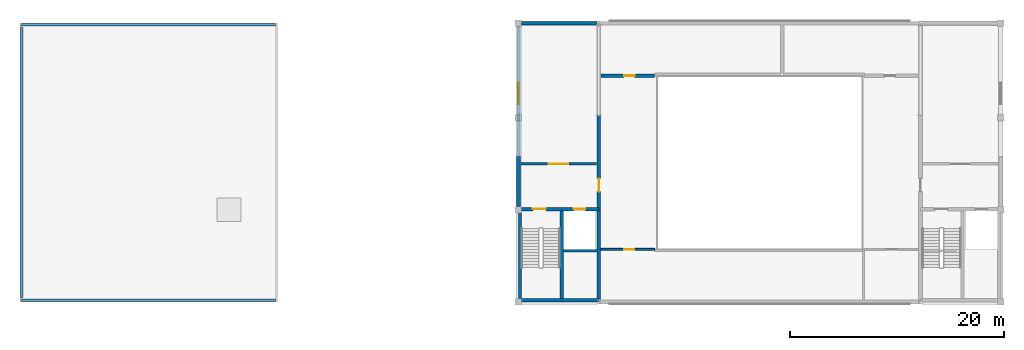
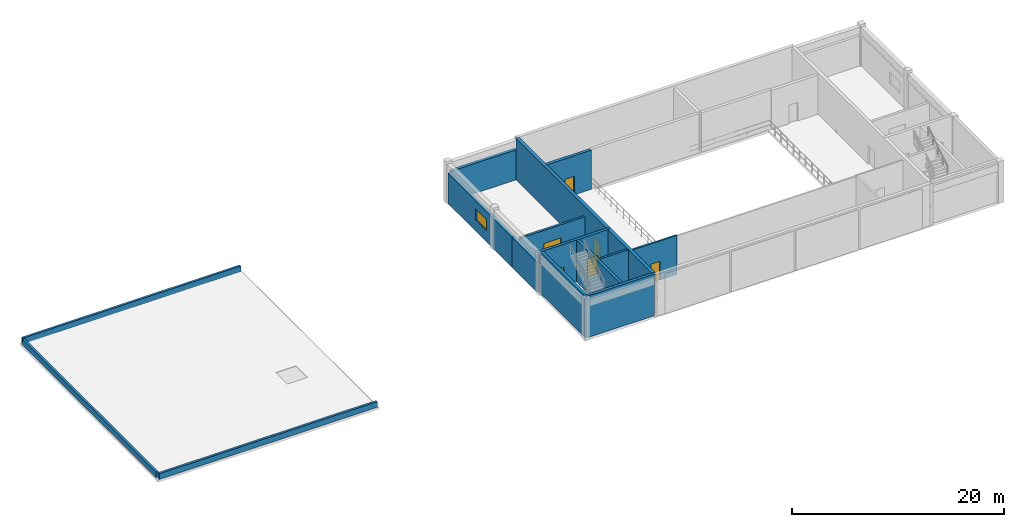
# One storey, part 6 of 9: 15 walls, 6 doors, 1 window, 7 openings.
"""IFC4 building model written with IfcOpenShell, lengths in metres."""

from ifc_helpers import new_model, si_unit, direction, frame, frame_2d, origin, place, context, subcontext, project, spatial, rectangle, extrude, material, layer, layer_set, type_object, element, fill, save


model = new_model("IFC4")

# Units and contexts
model_context = context("Model", 3, precision=1e-05, world=origin(), true_north=direction((0.0, 1.0)))
body_context = subcontext(model_context, "Body", "Model", "MODEL_VIEW")
ifc_project = project(units=[si_unit("LENGTHUNIT", "METRE"), si_unit("AREAUNIT", "SQUARE_METRE"), si_unit("VOLUMEUNIT", "CUBIC_METRE"), si_unit("PLANEANGLEUNIT", "RADIAN"), si_unit("MASSUNIT", "GRAM", prefix="KILO")], contexts=[model_context])

# Site, building, storey
site_placement = place(None, origin())
site = spatial("IfcSite", under=ifc_project, at=site_placement, CompositionType="ELEMENT")
building_placement = place(site_placement, origin())
building = spatial("IfcBuilding", under=site, at=building_placement, Name="Muzn Square Opera House", CompositionType="ELEMENT")
storey_placement = place(building_placement, frame((0.0, 0.0, 23.39990234375)))
storey = spatial("IfcBuildingStorey", under=building, at=storey_placement, Name="L05", CompositionType="ELEMENT", Elevation=23.39990234375)

# Wall, opening, door
ifc_material_1 = material(Name="Acoustic gypsum stud partition", Category="gypsum")
ifc_layer_1 = layer(ifc_material_1, 0.320068359375, Name="Acoustic gypsum stud partition", Category="gypsum")
ifc_layer_set_1 = layer_set([ifc_layer_1], Name="Acoustic gypsum stud partition")
wall_type_1 = type_object("IfcWallType", Name="Acoustic Studio Double Wall 320mm", PredefinedType="PARTITIONING", material=ifc_layer_set_1)
wall_1_placement = place(storey_placement, frame((73.179931640625, 93.699951171875, 0.0), z_axis=(0.0, 0.0, 1.0), x_axis=(1.0, 0.0, 0.0)))
wall_1 = element("IfcWall", 1, at=wall_1_placement, inside=storey, type_object=wall_type_1, Name="Interior Partition PW-L05-0417", PredefinedType="PARTITIONING", context=body_context, shape_type="SweptSolid", body=[
    extrude(rectangle(XDim=5.02001953125, YDim=0.320068359375, at=frame_2d((2.510009765625, 0.0))), origin(), (0.0, 0.0, 1.0), 4.5),
])
opening_1_placement = place(wall_1_placement, frame((2.179931640625, 0.0, 0.0)))
opening_1 = element("IfcOpeningElement", 2, at=opening_1_placement, cuts=wall_1, Name="Opening DR-TS98", PredefinedType="OPENING", context=body_context, shape_type="SweptSolid", body=[
    extrude(rectangle(XDim=0.97998046875, YDim=2.14990234375, at=frame_2d((0.489990234375, 1.074951171875))), frame((0.0, 0.169921875, 0.0), z_axis=(0.0, -1.0, 0.0), x_axis=(1.0, 0.0, 0.0)), (0.0, 0.0, 1.0), 0.340087890625),
])
ifc_material_2 = material(Name="Acoustic hardwood leaf", Category="wood")
door_type_1 = type_object("IfcDoorType", Name="Technical Studio Door 980x2150", OperationType="NOTDEFINED", PredefinedType="DOOR", material=ifc_material_2)
door_1_placement = place(opening_1_placement, origin())
door_1 = element("IfcDoor", 3, at=door_1_placement, inside=storey, type_object=door_type_1, Name="Dimmer and Amplifier Rack Studio Door DR-L05-0127", OperationType="SINGLE_SWING_RIGHT", OverallHeight=2.14990234375, OverallWidth=0.97998046875, PredefinedType="DOOR", context=body_context, shape_type="SweptSolid", body=[
    extrude(rectangle(XDim=0.97998046875, YDim=2.14990234375, at=frame_2d((0.489990234375, 1.074951171875))), frame((0.0, 0.02490234375, 0.0), z_axis=(0.0, -1.0, 0.0), x_axis=(1.0, 0.0, 0.0)), (0.0, 0.0, 1.0), 0.050048828125),
])
fill(opening_1, door_1)

# Walls
ifc_material_3 = material(Name="Concrete C45/55", Category="concrete")
ifc_layer_2 = layer(ifc_material_3, 0.300048828125, Name="Concrete C45/55", Category="concrete")
ifc_layer_set_2 = layer_set([ifc_layer_2], Name="Concrete C45/55")
wall_type_2 = type_object("IfcWallType", Name="Core Shear Wall 300mm", PredefinedType="SHEAR", material=ifc_layer_set_2)
for number, where, z_axis, x_axis, name in (
    (4, (65.64990234375, 72.89990234375, 0.0), (0.0, 0.0, 1.0), (0.0, 1.0, 0.0), "Core C1 Shear Wall SW-C1-L05-W"),
    (5, (69.550048828125, 72.89990234375, 0.0), (0.0, 0.0, 1.0), (0.0, 1.0, 0.0), "Core C1 Shear Wall SW-C1-L05-DIV"),
):
    element("IfcWall", number, at=place(storey_placement, frame(where, z_axis=z_axis, x_axis=x_axis)), inside=storey, type_object=wall_type_2, Name=name, PredefinedType="SHEAR", context=body_context, shape_type="SweptSolid", body=[
        extrude(rectangle(XDim=8.2001953125, YDim=0.300048828125, at=frame_2d((4.10009765625, 0.0))), origin(), (0.0, 0.0, 1.0), 4.800048828125),
    ])

# Wall, openings, doors
wall_2_placement = place(storey_placement, frame((65.5, 81.25, 0.0), z_axis=(0.0, 0.0, 1.0), x_axis=(1.0, 0.0, 0.0)))
wall_2 = element("IfcWall", 6, at=wall_2_placement, inside=storey, type_object=wall_type_2, Name="Core C1 Front Shear Wall L05", PredefinedType="SHEAR", context=body_context, shape_type="SweptSolid", body=[
    extrude(rectangle(XDim=7.5, YDim=0.300048828125, at=frame_2d((3.75, 0.0))), origin(), (0.0, 0.0, 1.0), 4.800048828125),
])
opening_2_placement = place(wall_2_placement, frame((1.35009765625, 0.0, 0.0)))
opening_2 = element("IfcOpeningElement", 7, at=opening_2_placement, cuts=wall_2, Name="Opening DR-ST12", PredefinedType="OPENING", context=body_context, shape_type="SweptSolid", body=[
    extrude(rectangle(XDim=1.199951171875, YDim=2.14990234375, at=frame_2d((0.60009765625, 1.074951171875))), frame((0.0, 0.159912109375, 0.0), z_axis=(0.0, -1.0, 0.0), x_axis=(1.0, 0.0, 0.0)), (0.0, 0.0, 1.0), 0.320068359375),
])
opening_3_placement = place(wall_2_placement, frame((5.14990234375, 0.0, 0.0)))
opening_3 = element("IfcOpeningElement", 8, at=opening_3_placement, cuts=wall_2, Name="Opening LD-01", PredefinedType="OPENING", context=body_context, shape_type="SweptSolid", body=[
    extrude(rectangle(XDim=1.10009765625, YDim=2.14990234375, at=frame_2d((0.550048828125, 1.074951171875))), frame((0.0, 0.159912109375, 0.0), z_axis=(0.0, -1.0, 0.0), x_axis=(1.0, 0.0, 0.0)), (0.0, 0.0, 1.0), 0.320068359375),
])
ifc_material_4 = material(Name="Galvanised painted steel leaf", Category="metal")
door_type_2 = type_object("IfcDoorType", Name="Core Stair Fire Door 1200x2150", OperationType="NOTDEFINED", PredefinedType="DOOR", material=ifc_material_4)
door_2_placement = place(opening_2_placement, origin())
door_2 = element("IfcDoor", 9, at=door_2_placement, inside=storey, type_object=door_type_2, Name="Core C1 Stair Door L05", OperationType="SINGLE_SWING_RIGHT", OverallHeight=2.14990234375, OverallWidth=1.199951171875, PredefinedType="DOOR", context=body_context, shape_type="SweptSolid", body=[
    extrude(rectangle(XDim=1.199951171875, YDim=2.14990234375, at=frame_2d((0.60009765625, 1.074951171875))), frame((0.0, 0.02490234375, 0.0), z_axis=(0.0, -1.0, 0.0), x_axis=(1.0, 0.0, 0.0)), (0.0, 0.0, 1.0), 0.050048828125),
])
fill(opening_2, door_2)
ifc_material_5 = material(Name="Brushed stainless steel", Category="metal")
door_type_3 = type_object("IfcDoorType", Name="Lift Landing Sliding Door 1100x2150", OperationType="SLIDING_TO_LEFT", PredefinedType="DOOR", material=ifc_material_5)
door_3_placement = place(opening_3_placement, origin())
door_3 = element("IfcDoor", 10, at=door_3_placement, inside=storey, type_object=door_type_3, Name="Lift FFL-1 Sliding Landing Door L05", OperationType="SLIDING_TO_LEFT", OverallHeight=2.14990234375, OverallWidth=1.10009765625, PredefinedType="DOOR", context=body_context, shape_type="SweptSolid", body=[
    extrude(rectangle(XDim=1.10009765625, YDim=2.14990234375, at=frame_2d((0.550048828125, 1.074951171875))), frame((0.0, 0.02490234375, 0.0), z_axis=(0.0, -1.0, 0.0), x_axis=(1.0, 0.0, 0.0)), (0.0, 0.0, 1.0), 0.050048828125),
])
fill(opening_3, door_3)

# Wall
wall_3_placement = place(storey_placement, frame((65.5, 72.75, 0.0), z_axis=(0.0, 0.0, 1.0), x_axis=(1.0, 0.0, 0.0)))
element("IfcWall", 11, at=wall_3_placement, inside=storey, type_object=wall_type_2, Name="Core C1 Shear Wall SW-C1-L05-S", PredefinedType="SHEAR", context=body_context, shape_type="SweptSolid", body=[
    extrude(rectangle(XDim=7.485107421875, YDim=0.300048828125, at=frame_2d((3.74267578125, 0.0))), origin(), (0.0, 0.0, 1.0), 4.800048828125),
])

# Wall, opening, window
ifc_material_6 = material(Name="Concrete C40/50", Category="concrete")
ifc_layer_3 = layer(ifc_material_6, 0.31005859375, Name="Concrete C40/50", Category="concrete")
ifc_layer_set_3 = layer_set([ifc_layer_3], Name="Concrete C40/50")
wall_type_3 = type_object("IfcWallType", Name="Exterior Gallery Facade Wall 310mm", PredefinedType="SOLIDWALL", material=ifc_layer_set_3)
wall_4_placement = place(storey_placement, frame((65.5, 86.199951171875, 0.0), z_axis=(0.0, 0.0, 1.0), x_axis=(0.0, 1.0, 0.0)))
wall_4 = element("IfcWall", 12, at=wall_4_placement, inside=storey, type_object=wall_type_3, Name="Exterior Facade Wall EW-L05-100", PredefinedType="SOLIDWALL", context=body_context, shape_type="SweptSolid", body=[
    extrude(rectangle(XDim=12.10009765625, YDim=0.31005859375, at=frame_2d((6.050048828125, 0.0))), origin(), (0.0, 0.0, 1.0), 3.4501953125),
])
opening_4_placement = place(wall_4_placement, frame((4.85009765625, 0.0, 1.25)))
opening_4 = element("IfcOpeningElement", 13, at=opening_4_placement, cuts=wall_4, Name="Opening WN-T2013", PredefinedType="OPENING", context=body_context, shape_type="SweptSolid", body=[
    extrude(rectangle(XDim=2.0, YDim=1.300048828125, at=frame_2d((1.0, 0.64990234375))), frame((0.0, 0.1650390625, 0.0), z_axis=(0.0, -1.0, 0.0), x_axis=(1.0, 0.0, 0.0)), (0.0, 0.0, 1.0), 0.330078125),
])
ifc_material_7 = material(Name="Low-E laminated acoustic double glazing", Category="glass")
window_type = type_object("IfcWindowType", Name="Fly Gallery Clerestory Window 2000x1300", PartitioningType="DOUBLE_PANEL_HORIZONTAL", PredefinedType="WINDOW", material=ifc_material_7)
window_placement = place(opening_4_placement, origin())
window = element("IfcWindow", 14, at=window_placement, inside=storey, type_object=window_type, Name="Fly Gallery Clerestory Window 2000x1300 EW-L05-100-WN01", OverallHeight=1.300048828125, OverallWidth=2.0, PartitioningType="SINGLE_PANEL", PredefinedType="WINDOW", context=body_context, shape_type="SweptSolid", body=[
    extrude(rectangle(XDim=2.0, YDim=1.300048828125, at=frame_2d((1.0, 0.64990234375))), frame((0.0, 0.030029296875, 0.0), z_axis=(0.0, -1.0, 0.0), x_axis=(1.0, 0.0, 0.0)), (0.0, 0.0, 1.0), 0.06005859375),
])
fill(opening_4, window)

# Walls
ifc_layer_4 = layer(ifc_material_6, 0.340087890625, Name="Concrete C40/50", Category="concrete")
ifc_layer_set_4 = layer_set([ifc_layer_4], Name="Concrete C40/50")
wall_type_4 = type_object("IfcWallType", Name="Exterior Insulated Spandrel Wall 340mm", PredefinedType="SOLIDWALL", material=ifc_layer_set_4)
wall_5_placement = place(storey_placement, frame((65.800048828125, 98.60009765625, 0.0), z_axis=(0.0, 0.0, 1.0), x_axis=(1.0, 0.0, 0.0)))
element("IfcWall", 15, at=wall_5_placement, inside=storey, type_object=wall_type_4, Name="Exterior Facade Wall EW-L05-279", PredefinedType="SOLIDWALL", context=body_context, shape_type="SweptSolid", body=[
    extrude(rectangle(XDim=7.050048828125, YDim=0.340087890625, at=frame_2d((3.52490234375, 0.0))), origin(), (0.0, 0.0, 1.0), 3.4501953125),
])
wall_6_placement = place(storey_placement, frame((65.5, 81.5, 0.0), z_axis=(0.0, 0.0, 1.0), x_axis=(0.0, 1.0, 0.0)))
element("IfcWall", 16, at=wall_6_placement, inside=storey, type_object=wall_type_4, Name="Exterior Facade Wall EW-L05-281", PredefinedType="SOLIDWALL", context=body_context, shape_type="SweptSolid", body=[
    extrude(rectangle(XDim=4.679931640625, YDim=0.340087890625, at=frame_2d((2.33984375, 0.0))), origin(), (0.0, 0.0, 1.0), 3.4501953125),
])

# Wall, opening, door
ifc_layer_5 = layer(ifc_material_6, 0.239990234375, Name="Concrete C40/50", Category="concrete")
ifc_layer_set_5 = layer_set([ifc_layer_5], Name="Concrete C40/50")
wall_type_5 = type_object("IfcWallType", Name="Firefighting Lobby Wall 240mm", PredefinedType="SOLIDWALL", material=ifc_layer_set_5)
wall_7_placement = place(storey_placement, frame((65.739990234375, 85.47998046875, 0.0), z_axis=(0.0, 0.0, 1.0), x_axis=(1.0, 0.0, 0.0)))
wall_7 = element("IfcWall", 17, at=wall_7_placement, inside=storey, type_object=wall_type_5, Name="Lobby C1 Enclosure Wall L05", PredefinedType="SOLIDWALL", context=body_context, shape_type="SweptSolid", body=[
    extrude(rectangle(XDim=7.02001953125, YDim=0.239990234375, at=frame_2d((3.510009765625, 0.0))), origin(), (0.0, 0.0, 1.0), 3.7001953125),
])
opening_5_placement = place(wall_7_placement, frame((2.610107421875, 0.0, 0.0)))
opening_5 = element("IfcOpeningElement", 18, at=opening_5_placement, cuts=wall_7, Name="Opening DR-FL18", PredefinedType="OPENING", context=body_context, shape_type="SweptSolid", body=[
    extrude(rectangle(XDim=1.800048828125, YDim=2.179931640625, at=frame_2d((0.89990234375, 1.08984375))), frame((0.0, 0.1298828125, 0.0), z_axis=(0.0, -1.0, 0.0), x_axis=(1.0, 0.0, 0.0)), (0.0, 0.0, 1.0), 0.260009765625),
])
door_type_4 = type_object("IfcDoorType", Name="Firefighting Lobby Double Door 1800x2180", OperationType="DOUBLE_DOOR_SINGLE_SWING", PredefinedType="DOOR", material=ifc_material_4)
door_4_placement = place(opening_5_placement, origin())
door_4 = element("IfcDoor", 19, at=door_4_placement, inside=storey, type_object=door_type_4, Name="Lobby C1 Fire Door L05", OperationType="DOUBLE_DOOR_SINGLE_SWING", OverallHeight=2.179931640625, OverallWidth=1.800048828125, PredefinedType="DOOR", context=body_context, shape_type="SweptSolid", body=[
    extrude(rectangle(XDim=1.800048828125, YDim=2.179931640625, at=frame_2d((0.89990234375, 1.08984375))), frame((0.0, 0.02490234375, 0.0), z_axis=(0.0, -1.0, 0.0), x_axis=(1.0, 0.0, 0.0)), (0.0, 0.0, 1.0), 0.050048828125),
])
fill(opening_5, door_4)

ifc_layer_6 = layer(ifc_material_3, 0.35009765625, Name="Concrete C45/55", Category="concrete")
ifc_layer_set_6 = layer_set([ifc_layer_6], Name="Concrete C45/55")
wall_type_6 = type_object("IfcWallType", Name="Fly Tower Shear Wall 350mm", PredefinedType="SHEAR", material=ifc_layer_set_6)
wall_8_placement = place(storey_placement, frame((73.0, 72.77001953125, 0.0), z_axis=(0.0, 0.0, 1.0), x_axis=(0.0, 1.0, 0.0)))
wall_8 = element("IfcWall", 20, at=wall_8_placement, inside=storey, type_object=wall_type_6, Name="Fly Tower Shear Wall FTW-L05-W", PredefinedType="SHEAR", context=body_context, shape_type="SweptSolid", body=[
    extrude(rectangle(XDim=25.659912109375, YDim=0.35009765625, at=frame_2d((12.830078125, 0.0))), origin(), (0.0, 0.0, 1.0), 4.800048828125),
])
opening_6_placement = place(wall_8_placement, frame((11.329833984375, 0.0, 0.0), z_axis=(0.0, 0.0, 1.0), x_axis=(-1.0, 0.0, 0.0)))
opening_6 = element("IfcOpeningElement", 21, at=opening_6_placement, cuts=wall_8, Name="Opening DR-ST12", PredefinedType="OPENING", context=body_context, shape_type="SweptSolid", body=[
    extrude(rectangle(XDim=1.199951171875, YDim=2.14990234375, at=frame_2d((0.60009765625, 1.074951171875))), frame((0.0, 0.18505859375, 0.0), z_axis=(0.0, -1.0, 0.0), x_axis=(1.0, 0.0, 0.0)), (0.0, 0.0, 1.0), 0.3701171875),
])
door_5_placement = place(opening_6_placement, origin())
door_5 = element("IfcDoor", 22, at=door_5_placement, inside=storey, type_object=door_type_2, Name="Lobby C1 Side Door E L05", OperationType="SINGLE_SWING_LEFT", OverallHeight=2.14990234375, OverallWidth=1.199951171875, PredefinedType="DOOR", context=body_context, shape_type="SweptSolid", body=[
    extrude(rectangle(XDim=1.199951171875, YDim=2.14990234375, at=frame_2d((0.60009765625, 1.074951171875))), frame((0.0, 0.02490234375, 0.0), z_axis=(0.0, -1.0, 0.0), x_axis=(1.0, 0.0, 0.0)), (0.0, 0.0, 1.0), 0.050048828125),
])
fill(opening_6, door_5)

ifc_layer_7 = layer(ifc_material_1, 0.169921875, Name="Acoustic gypsum stud partition", Category="gypsum")
ifc_layer_set_7 = layer_set([ifc_layer_7], Name="Acoustic gypsum stud partition")
wall_type_7 = type_object("IfcWallType", Name="Gallery Partition 170mm", PredefinedType="PARTITIONING", material=ifc_layer_set_7)
wall_9_placement = place(storey_placement, frame((73.179931640625, 77.5, 0.0), z_axis=(0.0, 0.0, 1.0), x_axis=(1.0, 0.0, 0.0)))
wall_9 = element("IfcWall", 23, at=wall_9_placement, inside=storey, type_object=wall_type_7, Name="Interior Partition PW-L05-0415", PredefinedType="PARTITIONING", context=body_context, shape_type="SweptSolid", body=[
    extrude(rectangle(XDim=5.02001953125, YDim=0.169921875, at=frame_2d((2.510009765625, 0.0))), origin(), (0.0, 0.0, 1.0), 4.5),
])
opening_7_placement = place(wall_9_placement, frame((2.195068359375, 0.0, 0.0)))
opening_7 = element("IfcOpeningElement", 24, at=opening_7_placement, cuts=wall_9, Name="Opening DR-OF95", PredefinedType="OPENING", context=body_context, shape_type="SweptSolid", body=[
    extrude(rectangle(XDim=0.949951171875, YDim=2.14990234375, at=frame_2d((0.47509765625, 1.074951171875))), frame((0.0, 0.094970703125, 0.0), z_axis=(0.0, -1.0, 0.0), x_axis=(1.0, 0.0, 0.0)), (0.0, 0.0, 1.0), 0.18994140625),
])
door_type_5 = type_object("IfcDoorType", Name="Office Room Door 950x2150", OperationType="NOTDEFINED", PredefinedType="DOOR", material=ifc_material_2)
door_6_placement = place(opening_7_placement, origin())
door_6 = element("IfcDoor", 25, at=door_6_placement, inside=storey, type_object=door_type_5, Name="Fly Cueing Gallery Door DR-L05-0126", OperationType="SINGLE_SWING_LEFT", OverallHeight=2.14990234375, OverallWidth=0.949951171875, PredefinedType="DOOR", context=body_context, shape_type="SweptSolid", body=[
    extrude(rectangle(XDim=0.949951171875, YDim=2.14990234375, at=frame_2d((0.47509765625, 1.074951171875))), frame((0.0, 0.02490234375, 0.0), z_axis=(0.0, -1.0, 0.0), x_axis=(1.0, 0.0, 0.0)), (0.0, 0.0, 1.0), 0.050048828125),
])
fill(opening_7, door_6)

# Walls
ifc_layer_8 = layer(ifc_material_6, 0.219970703125, Name="Concrete C40/50", Category="concrete")
ifc_layer_set_8 = layer_set([ifc_layer_8], Name="Concrete C40/50")
wall_type_8 = type_object("IfcWallType", Name="Lift Lobby Wall 220mm", PredefinedType="SOLIDWALL", material=ifc_layer_set_8)
wall_10_placement = place(storey_placement, frame((69.699951171875, 77.3798828125, 0.0), z_axis=(0.0, 0.0, 1.0), x_axis=(1.0, 0.0, 0.0)))
element("IfcWall", 26, at=wall_10_placement, inside=storey, type_object=wall_type_8, Name="Core C1 Lift Shaft South Wall L05", PredefinedType="SOLIDWALL", context=body_context, shape_type="SweptSolid", body=[
    extrude(rectangle(XDim=3.1201171875, YDim=0.219970703125, at=frame_2d((1.56005859375, 0.0))), origin(), (0.0, 0.0, 1.0), 4.800048828125),
])
ifc_material_8 = material(Name="Precast concrete C40/50", Category="concrete")
ifc_layer_9 = layer(ifc_material_8, 0.239990234375, Name="Precast concrete C40/50", Category="concrete")
ifc_layer_set_9 = layer_set([ifc_layer_9], Name="Precast concrete C40/50")
wall_type_9 = type_object("IfcWallType", Name="Roof Parapet Wall 240mm", PredefinedType="PARAPET", material=ifc_layer_set_9)
for number, where, z_axis, x_axis, name in (
    (27, (19.14990234375, 72.75, 0.0), (0.0, 0.0, 1.0), (1.0, 0.0, 0.0), "Roof Parapet ROOF-L05-WCORE-S"),
    (28, (19.14990234375, 98.449951171875, 0.0), (0.0, 0.0, 1.0), (1.0, 0.0, 0.0), "Roof Parapet ROOF-L05-WCORE-N"),
):
    element("IfcWall", number, at=place(storey_placement, frame(where, z_axis=z_axis, x_axis=x_axis)), inside=storey, type_object=wall_type_9, Name=name, PredefinedType="PARAPET", context=body_context, shape_type="SweptSolid", body=[
        extrude(rectangle(XDim=23.7001953125, YDim=0.239990234375, at=frame_2d((11.85009765625, 0.0))), origin(), (0.0, 0.0, 1.0), 0.650146484375),
    ])
wall_11_placement = place(storey_placement, frame((19.14990234375, 73.0, 0.0), z_axis=(0.0, 0.0, 1.0), x_axis=(0.0, 1.0, 0.0)))
element("IfcWall", 29, at=wall_11_placement, inside=storey, type_object=wall_type_9, Name="Roof Parapet ROOF-L05-WCORE-W", PredefinedType="PARAPET", context=body_context, shape_type="SweptSolid", body=[
    extrude(rectangle(XDim=25.199951171875, YDim=0.239990234375, at=frame_2d((12.60009765625, 0.0))), origin(), (0.0, 0.0, 1.0), 0.650146484375),
])

save(model, "model.ifc")
